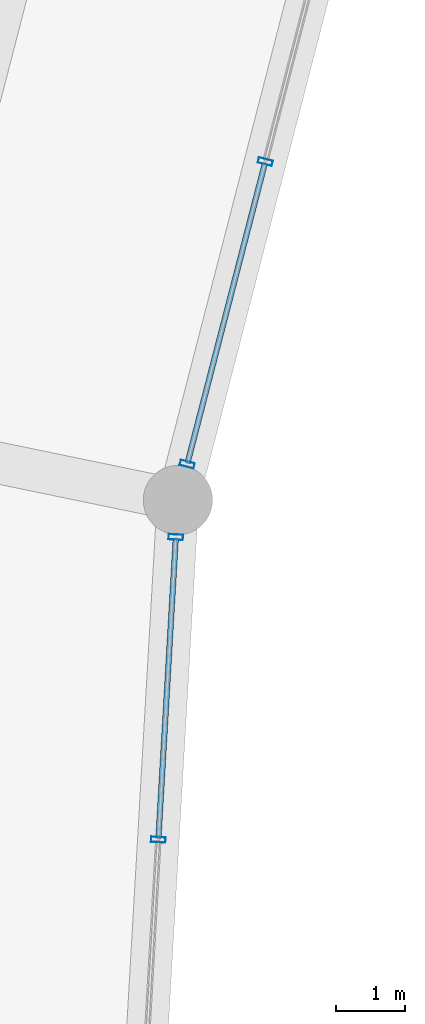
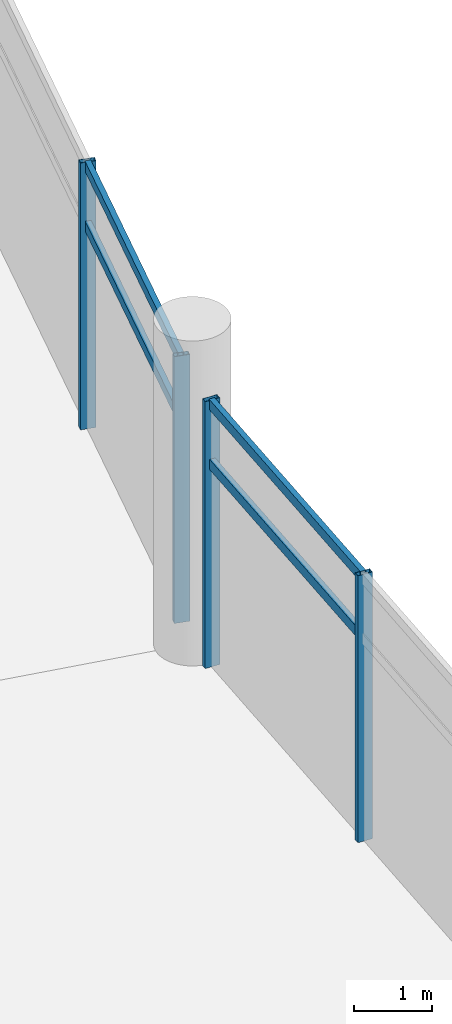
# One storey, part 56 of 184: 8 members, 2 elements without a shape of their own.
"""IFC4 building model written with IfcOpenShell, lengths in metres."""

from ifc_helpers import new_model, si_unit, direction, frame, origin, origin_2d, place, context, subcontext, project, spatial, hollow_rectangle, extrude, material, layer, layer_set, material_profile, profile_set, type_object, element, aggregate, save


model = new_model("IFC4")

# Units and contexts
model_context = context("Model", 3, precision=1e-05, world=origin(), true_north=direction((0.0, 1.0)))
body_context = subcontext(model_context, "Body", "Model", "MODEL_VIEW")
ifc_project = project(units=[si_unit("LENGTHUNIT", "METRE"), si_unit("AREAUNIT", "SQUARE_METRE"), si_unit("VOLUMEUNIT", "CUBIC_METRE"), si_unit("PLANEANGLEUNIT", "RADIAN"), si_unit("MASSUNIT", "GRAM", prefix="KILO")], contexts=[model_context])

# Site, building, storey
site_placement = place(None, origin())
site = spatial("IfcSite", under=ifc_project, at=site_placement, CompositionType="ELEMENT")
building_placement = place(site_placement, origin())
building = spatial("IfcBuilding", under=site, at=building_placement, Name="Kazemori Nagisa Stadium", CompositionType="ELEMENT")
storey_placement = place(building_placement, frame((0.0, 0.0, 10.5400390625)))
storey = spatial("IfcBuildingStorey", under=building, at=storey_placement, Name="L02", CompositionType="ELEMENT", Elevation=10.5400390625)

# Curtain wall, members
ifc_material_1 = material(Name="Anodised aluminium 6063-T5", Category="aluminium")
ifc_layer_1 = layer(ifc_material_1, 0.2099609375, Name="Anodised aluminium 6063-T5", Category="aluminium")
ifc_layer_set_1 = layer_set([ifc_layer_1], Name="Anodised aluminium 6063-T5")
curtain_wall_type_1 = type_object("IfcCurtainWallType", Name="CW_L02B_68", PredefinedType="USERDEFINED", material=ifc_layer_set_1)
curtain_wall_1_placement = place(storey_placement, origin())
curtain_wall_1 = element("IfcCurtainWall", 1, at=curtain_wall_1_placement, inside=storey, type_object=curtain_wall_type_1, Name="Unitised curtain wall CW-L02B-68 L02", ObjectType="UNITISED CURTAIN WALL", PredefinedType="USERDEFINED")
ifc_material_2 = material(Name="Aluminium 6063-T5 anodised", Category="aluminium")
ifc_material_profile_1 = material_profile(ifc_material_2, hollow_rectangle(XDim=0.080078125, YDim=0.2099609375, WallThickness=0.0048828125, at=origin_2d()), Name="ALU-MULL-80x210x5")
ifc_profile_set_1 = profile_set([ifc_material_profile_1], Name="Aluminium 6063-T5 anodised")
member_type_1 = type_object("IfcMemberType", Name="Mullion_M02", PredefinedType="MULLION", material=ifc_profile_set_1)
member_1_placement = place(storey_placement, frame((55.727294921875, 121.0419921875, 0.0), z_axis=(0.0, 0.0, 1.0), x_axis=(-0.249964642418, -0.968254965152, 0.0)))
member_1 = element("IfcMember", 2, at=member_1_placement, type_object=member_type_1, Name="Curtain wall mullion CW-L02B-68-M3", PredefinedType="MULLION", context=body_context, shape_type="SweptSolid", body=[
    extrude(hollow_rectangle(XDim=0.080078125, YDim=0.2099609375, WallThickness=0.0048828125, at=origin_2d()), origin(), (0.0, 0.0, 1.0), 4.18994140625),
])
member_2_placement = place(storey_placement, frame((54.600830078125, 116.67822265625, 0.0), z_axis=(0.0, 0.0, 1.0), x_axis=(-0.249964642418, -0.968254965152, 0.0)))
member_2 = element("IfcMember", 3, at=member_2_placement, type_object=member_type_1, Name="Curtain wall mullion CW-L02B-68-M4", PredefinedType="MULLION", context=body_context, shape_type="SweptSolid", body=[
    extrude(hollow_rectangle(XDim=0.080078125, YDim=0.2099609375, WallThickness=0.0048828125, at=origin_2d()), origin(), (0.0, 0.0, 1.0), 4.18994140625),
])

ifc_layer_2 = layer(ifc_material_1, 0.2099609375, Name="Anodised aluminium 6063-T5", Category="aluminium")
ifc_layer_set_2 = layer_set([ifc_layer_2], Name="Anodised aluminium 6063-T5")
curtain_wall_type_2 = type_object("IfcCurtainWallType", Name="CW_L02B_66", PredefinedType="USERDEFINED", material=ifc_layer_set_2)
curtain_wall_2_placement = place(storey_placement, origin())
curtain_wall_2 = element("IfcCurtainWall", 4, at=curtain_wall_2_placement, inside=storey, type_object=curtain_wall_type_2, Name="Unitised curtain wall CW-L02B-66 L02", ObjectType="UNITISED CURTAIN WALL", PredefinedType="USERDEFINED")
member_3_placement = place(storey_placement, frame((54.436279296875, 115.626220703125, 0.0), z_axis=(0.0, 0.0, 1.0), x_axis=(-0.057601670941, -0.998339645364, 0.0)))
member_3 = element("IfcMember", 5, at=member_3_placement, type_object=member_type_1, Name="Curtain wall mullion CW-L02B-66-M1", PredefinedType="MULLION", context=body_context, shape_type="SweptSolid", body=[
    extrude(hollow_rectangle(XDim=0.080078125, YDim=0.2099609375, WallThickness=0.0048828125, at=origin_2d()), origin(), (0.0, 0.0, 1.0), 4.18994140625),
])
member_4_placement = place(storey_placement, frame((54.184326171875, 111.26220703125, 0.0), z_axis=(0.0, 0.0, 1.0), x_axis=(-0.057601670941, -0.998339645364, 0.0)))
member_4 = element("IfcMember", 6, at=member_4_placement, type_object=member_type_1, Name="Curtain wall mullion CW-L02B-66-M2", PredefinedType="MULLION", context=body_context, shape_type="SweptSolid", body=[
    extrude(hollow_rectangle(XDim=0.080078125, YDim=0.2099609375, WallThickness=0.0048828125, at=origin_2d()), origin(), (0.0, 0.0, 1.0), 4.18994140625),
])

# Member
ifc_material_profile_2 = material_profile(ifc_material_2, hollow_rectangle(XDim=0.080078125, YDim=0.159912109375, WallThickness=0.00390625, at=origin_2d()), Name="ALU-TRAN-80x160x4")
ifc_profile_set_2 = profile_set([ifc_material_profile_2], Name="Aluminium 6063-T5 anodised")
member_type_2 = type_object("IfcMemberType", Name="Transom_T02", PredefinedType="USERDEFINED", material=ifc_profile_set_2)
member_5_placement = place(storey_placement, frame((55.72216796875, 121.0224609375, 3.184326171875), z_axis=(-0.249962328516, -0.968255562505, 0.0), x_axis=(0.968255562505, -0.249962328516, 0.0)))
member_5 = element("IfcMember", 7, at=member_5_placement, type_object=member_type_2, Name="Curtain wall transom CW-L02B-68-T3-mid", ObjectType="TRANSOM", PredefinedType="USERDEFINED", context=body_context, shape_type="SweptSolid", body=[
    extrude(hollow_rectangle(XDim=0.080078125, YDim=0.159912109375, WallThickness=0.00390625, at=origin_2d()), origin(), (0.0, 0.0, 1.0), 4.466552734375),
])

member_6_placement = place(storey_placement, frame((55.72216796875, 121.0224609375, 4.119873046875), z_axis=(-0.249962328516, -0.968255562505, 0.0), x_axis=(0.968255562505, -0.249962328516, 0.0)))
member_6 = element("IfcMember", 8, at=member_6_placement, type_object=member_type_2, Name="Curtain wall transom CW-L02B-68-T3-head", ObjectType="TRANSOM", PredefinedType="USERDEFINED", context=body_context, shape_type="SweptSolid", body=[
    extrude(hollow_rectangle(XDim=0.080078125, YDim=0.159912109375, WallThickness=0.00390625, at=origin_2d()), origin(), (0.0, 0.0, 1.0), 4.466552734375),
])

aggregate(curtain_wall_1, [member_1, member_2, member_5, member_6])

member_7_placement = place(storey_placement, frame((54.43505859375, 115.606201171875, 3.184326171875), z_axis=(-0.057608419603, -0.99833925596, 0.0), x_axis=(0.99833925596, -0.057608419603, 0.0)))
member_7 = element("IfcMember", 9, at=member_7_placement, type_object=member_type_2, Name="Curtain wall transom CW-L02B-66-T1-mid", ObjectType="TRANSOM", PredefinedType="USERDEFINED", context=body_context, shape_type="SweptSolid", body=[
    extrude(hollow_rectangle(XDim=0.080078125, YDim=0.159912109375, WallThickness=0.00390625, at=origin_2d()), origin(), (0.0, 0.0, 1.0), 4.3310546875),
])

member_8_placement = place(storey_placement, frame((54.43505859375, 115.606201171875, 4.119873046875), z_axis=(-0.057608419603, -0.99833925596, 0.0), x_axis=(0.99833925596, -0.057608419603, 0.0)))
member_8 = element("IfcMember", 10, at=member_8_placement, type_object=member_type_2, Name="Curtain wall transom CW-L02B-66-T1-head", ObjectType="TRANSOM", PredefinedType="USERDEFINED", context=body_context, shape_type="SweptSolid", body=[
    extrude(hollow_rectangle(XDim=0.080078125, YDim=0.159912109375, WallThickness=0.00390625, at=origin_2d()), origin(), (0.0, 0.0, 1.0), 4.3310546875),
])

aggregate(curtain_wall_2, [member_3, member_4, member_7, member_8])

save(model, "model.ifc")
